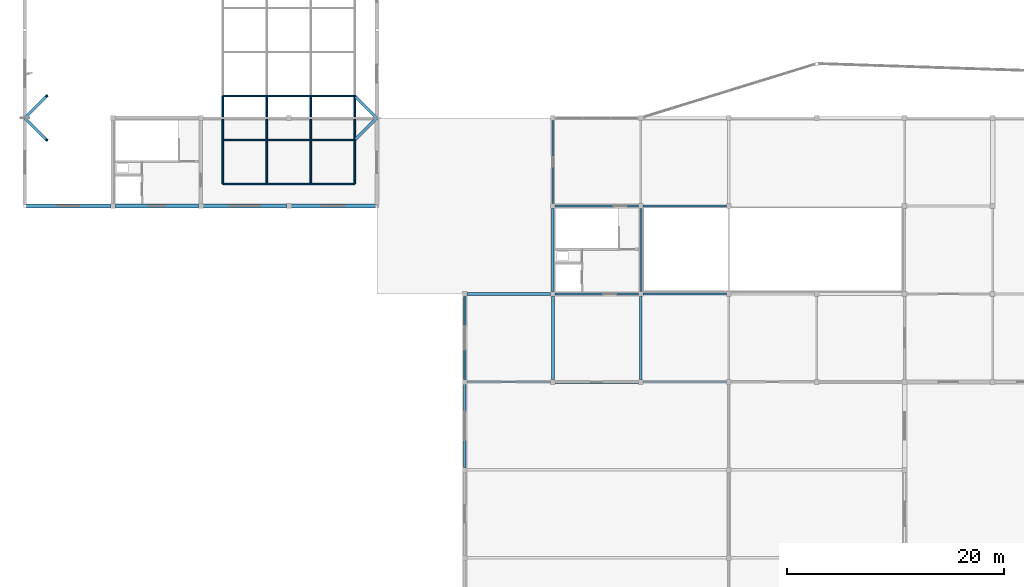
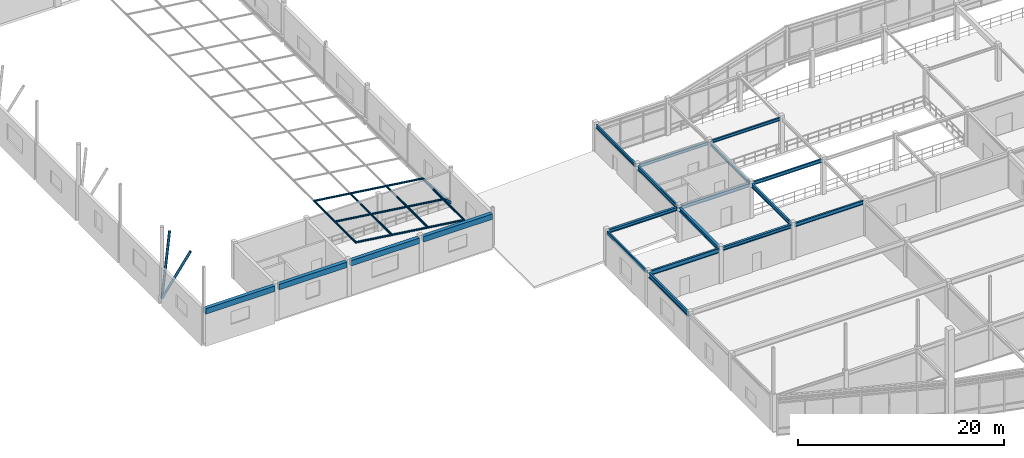
# One storey, part 22 of 89: 21 members, 19 beams.
"""IFC4 building model written with IfcOpenShell, lengths in metres."""

from ifc_helpers import new_model, si_unit, direction, frame, origin, origin_2d, place, context, subcontext, project, spatial, rectangle, hollow_rectangle, hollow_circle, i_section, extrude, material, material_profile, profile_set, type_object, element, save


model = new_model("IFC4")

# Units and contexts
model_context = context("Model", 3, precision=1e-05, world=origin(), true_north=direction((0.0, 1.0)))
body_context = subcontext(model_context, "Body", "Model", "MODEL_VIEW")
ifc_project = project(units=[si_unit("LENGTHUNIT", "METRE"), si_unit("AREAUNIT", "SQUARE_METRE"), si_unit("VOLUMEUNIT", "CUBIC_METRE"), si_unit("PLANEANGLEUNIT", "RADIAN"), si_unit("MASSUNIT", "GRAM", prefix="KILO")], contexts=[model_context])

# Site, building, storey
site_placement = place(None, origin())
site = spatial("IfcSite", under=ifc_project, at=site_placement, CompositionType="ELEMENT")
building_placement = place(site_placement, origin())
building = spatial("IfcBuilding", under=site, at=building_placement, Name="Vaudrelin Polytechnic", CompositionType="ELEMENT")
storey_placement = place(building_placement, frame((0.0, 0.0, 9.68994140625)))
storey = spatial("IfcBuildingStorey", under=building, at=storey_placement, Name="L02", CompositionType="ELEMENT", Elevation=9.68994140625)

# Beams
ifc_material_1 = material(Name="Steel CSA G40.21 350W", Category="steel")
ifc_material_profile_1 = material_profile(ifc_material_1, i_section(OverallWidth=0.178955078125, OverallDepth=0.409912109375, WebThickness=0.0087890625, FlangeThickness=0.014404296875, FilletRadius=0.01611328125, at=origin_2d()), Name="W410x67")
ifc_profile_set_1 = profile_set([ifc_material_profile_1], Name="Steel CSA G40.21 350W")
beam_type_1 = type_object("IfcBeamType", Name="BM-BM-W410", PredefinedType="BEAM", material=ifc_profile_set_1)
for number, where, z_axis, x_axis, name in (
    (1, (48.60009765625, 40.7099609375, 3.93505859375), (0.0, 1.0, 0.0), (-1.0, 0.0, 0.0), "L02 Y-beam 7-6"),
    (2, (56.699951171875, 32.610107421875, 3.93505859375), (0.0, 1.0, 0.0), (-1.0, 0.0, 0.0), "L02 Y-beam 8-5"),
):
    element("IfcBeam", number, at=place(storey_placement, frame(where, z_axis=z_axis, x_axis=x_axis)), inside=storey, type_object=beam_type_1, Name=name, PredefinedType="BEAM", context=body_context, shape_type="SweptSolid", body=[
        extrude(i_section(OverallWidth=0.178955078125, OverallDepth=0.409912109375, WebThickness=0.0087890625, FlangeThickness=0.014404296875, FilletRadius=0.01611328125, at=origin_2d()), origin(), (0.0, 0.0, 1.0), 7.679931640625),
    ])
beam_1_placement = place(storey_placement, frame((48.821044921875, 40.5, 3.93505859375), z_axis=(1.0, 0.0, 0.0), x_axis=(0.0, 1.0, 0.0)))
element("IfcBeam", 3, at=beam_1_placement, inside=storey, type_object=beam_type_1, Name="L02 X-beam 7-6", PredefinedType="BEAM", context=body_context, shape_type="SweptSolid", body=[
    extrude(i_section(OverallWidth=0.178955078125, OverallDepth=0.409912109375, WebThickness=0.0087890625, FlangeThickness=0.014404296875, FilletRadius=0.01611328125, at=origin_2d()), origin(), (0.0, 0.0, 1.0), 7.657958984375),
])
beam_2_placement = place(storey_placement, frame((56.9208984375, 32.39990234375, 3.93505859375), z_axis=(1.0, 0.0, 0.0), x_axis=(0.0, 1.0, 0.0)))
element("IfcBeam", 4, at=beam_2_placement, inside=storey, type_object=beam_type_1, Name="L02 X-beam 8-5", PredefinedType="BEAM", context=body_context, shape_type="SweptSolid", body=[
    extrude(i_section(OverallWidth=0.178955078125, OverallDepth=0.409912109375, WebThickness=0.0087890625, FlangeThickness=0.014404296875, FilletRadius=0.01611328125, at=origin_2d()), origin(), (0.0, 0.0, 1.0), 7.658203125),
])
ifc_material_2 = material(Name="Steel CSA G40.21 350WT", Category="steel")
ifc_material_profile_2 = material_profile(ifc_material_2, i_section(OverallWidth=0.260009765625, OverallDepth=0.4150390625, WebThickness=0.010009765625, FlangeThickness=0.016845703125, FilletRadius=0.01611328125, at=origin_2d()), Name="W410x100")
ifc_profile_set_2 = profile_set([ifc_material_profile_2], Name="Steel CSA G40.21 350WT")
beam_type_2 = type_object("IfcBeamType", Name="BM-BM-W410H", PredefinedType="SPANDREL", material=ifc_profile_set_2)
for number, where, z_axis, x_axis, name in (
    (5, (40.720947265625, 32.39990234375, 3.9326171875), (1.0, 0.0, 0.0), (0.0, 1.0, 0.0), "L02 X-beam 6-5"),
    (6, (48.821044921875, 24.300048828125, 3.9326171875), (1.0, 0.0, 0.0), (0.0, 1.0, 0.0), "L02 X-beam 7-4"),
):
    element("IfcBeam", number, at=place(storey_placement, frame(where, z_axis=z_axis, x_axis=x_axis)), inside=storey, type_object=beam_type_2, Name=name, PredefinedType="SPANDREL", context=body_context, shape_type="SweptSolid", body=[
        extrude(i_section(OverallWidth=0.260009765625, OverallDepth=0.4150390625, WebThickness=0.010009765625, FlangeThickness=0.016845703125, FilletRadius=0.01611328125, at=origin_2d()), origin(), (0.0, 0.0, 1.0), 7.657958984375),
    ])
ifc_material_profile_3 = material_profile(ifc_material_2, i_section(OverallWidth=0.19091796875, OverallDepth=0.4599609375, WebThickness=0.010009765625, FlangeThickness=0.01611328125, FilletRadius=0.01806640625, at=origin_2d()), Name="W460x82")
ifc_profile_set_3 = profile_set([ifc_material_profile_3], Name="Steel CSA G40.21 350WT")
beam_type_3 = type_object("IfcBeamType", Name="BM-BM-W460", PredefinedType="BEAM", material=ifc_profile_set_3)
for number, where, z_axis, x_axis, name in (
    (7, (48.60009765625, 32.610107421875, 3.91015625), (0.0, 1.0, 0.0), (-1.0, 0.0, 0.0), "L02 Y-beam 7-5"),
    (8, (56.699951171875, 24.510009765625, 3.91015625), (0.0, 1.0, 0.0), (-1.0, 0.0, 0.0), "L02 Y-beam 8-4"),
):
    element("IfcBeam", number, at=place(storey_placement, frame(where, z_axis=z_axis, x_axis=x_axis)), inside=storey, type_object=beam_type_3, Name=name, PredefinedType="BEAM", context=body_context, shape_type="SweptSolid", body=[
        extrude(i_section(OverallWidth=0.19091796875, OverallDepth=0.4599609375, WebThickness=0.010009765625, FlangeThickness=0.01611328125, FilletRadius=0.01806640625, at=origin_2d()), origin(), (0.0, 0.0, 1.0), 7.679931640625),
    ])
beam_3_placement = place(storey_placement, frame((48.821044921875, 32.39990234375, 3.91015625), z_axis=(1.0, 0.0, 0.0), x_axis=(0.0, 1.0, 0.0)))
element("IfcBeam", 9, at=beam_3_placement, inside=storey, type_object=beam_type_3, Name="L02 X-beam 7-5", PredefinedType="BEAM", context=body_context, shape_type="SweptSolid", body=[
    extrude(i_section(OverallWidth=0.19091796875, OverallDepth=0.4599609375, WebThickness=0.010009765625, FlangeThickness=0.01611328125, FilletRadius=0.01806640625, at=origin_2d()), origin(), (0.0, 0.0, 1.0), 7.657958984375),
])
beam_4_placement = place(storey_placement, frame((56.9208984375, 24.300048828125, 3.91015625), z_axis=(1.0, 0.0, 0.0), x_axis=(0.0, 1.0, 0.0)))
element("IfcBeam", 10, at=beam_4_placement, inside=storey, type_object=beam_type_3, Name="L02 X-beam 8-4", PredefinedType="BEAM", context=body_context, shape_type="SweptSolid", body=[
    extrude(i_section(OverallWidth=0.19091796875, OverallDepth=0.4599609375, WebThickness=0.010009765625, FlangeThickness=0.01611328125, FilletRadius=0.01806640625, at=origin_2d()), origin(), (0.0, 0.0, 1.0), 7.658203125),
])
ifc_material_profile_4 = material_profile(ifc_material_1, i_section(OverallWidth=0.280029296875, OverallDepth=0.462890625, WebThickness=0.0107421875, FlangeThickness=0.017333984375, FilletRadius=0.01806640625, at=origin_2d()), Name="W460x113")
ifc_profile_set_4 = profile_set([ifc_material_profile_4], Name="Steel CSA G40.21 350W")
beam_type_4 = type_object("IfcBeamType", Name="BM-BM-W460H", PredefinedType="BEAM", material=ifc_profile_set_4)
beam_5_placement = place(storey_placement, frame((48.60009765625, 24.510009765625, 3.908447265625), z_axis=(0.0, 1.0, 0.0), x_axis=(-1.0, 0.0, 0.0)))
element("IfcBeam", 11, at=beam_5_placement, inside=storey, type_object=beam_type_4, Name="L02 Y-beam 7-4", PredefinedType="BEAM", context=body_context, shape_type="SweptSolid", body=[
    extrude(i_section(OverallWidth=0.280029296875, OverallDepth=0.462890625, WebThickness=0.0107421875, FlangeThickness=0.017333984375, FilletRadius=0.01806640625, at=origin_2d()), origin(), (0.0, 0.0, 1.0), 7.679931640625),
])
ifc_material_profile_5 = material_profile(ifc_material_1, i_section(OverallWidth=0.208984375, OverallDepth=0.532958984375, WebThickness=0.01025390625, FlangeThickness=0.015625, FilletRadius=0.01904296875, at=origin_2d()), Name="W530x92")
ifc_profile_set_5 = profile_set([ifc_material_profile_5], Name="Steel CSA G40.21 350W")
beam_type_5 = type_object("IfcBeamType", Name="BM-BM-W530", PredefinedType="BEAM", material=ifc_profile_set_5)
beam_6_placement = place(storey_placement, frame((40.720947265625, 24.300048828125, 3.87353515625), z_axis=(1.0, 0.0, 0.0), x_axis=(0.0, 1.0, 0.0)))
element("IfcBeam", 12, at=beam_6_placement, inside=storey, type_object=beam_type_5, Name="L02 X-beam 6-4", PredefinedType="BEAM", context=body_context, shape_type="SweptSolid", body=[
    extrude(i_section(OverallWidth=0.208984375, OverallDepth=0.532958984375, WebThickness=0.01025390625, FlangeThickness=0.015625, FilletRadius=0.01904296875, at=origin_2d()), origin(), (0.0, 0.0, 1.0), 7.657958984375),
])
ifc_material_profile_6 = material_profile(ifc_material_1, i_section(OverallWidth=0.214111328125, OverallDepth=0.549072265625, WebThickness=0.0146484375, FlangeThickness=0.023681640625, FilletRadius=0.01904296875, at=origin_2d()), Name="W530x138")
ifc_profile_set_6 = profile_set([ifc_material_profile_6], Name="Steel CSA G40.21 350W")
beam_type_6 = type_object("IfcBeamType", Name="BM-BM-W530H", PredefinedType="BEAM", material=ifc_profile_set_6)
beam_7_placement = place(storey_placement, frame((40.5, 16.409912109375, 3.865478515625), z_axis=(0.0, 1.0, 0.0), x_axis=(-1.0, 0.0, 0.0)))
element("IfcBeam", 13, at=beam_7_placement, inside=storey, type_object=beam_type_6, Name="L02 Y-beam 6-3", PredefinedType="BEAM", context=body_context, shape_type="SweptSolid", body=[
    extrude(i_section(OverallWidth=0.214111328125, OverallDepth=0.549072265625, WebThickness=0.0146484375, FlangeThickness=0.023681640625, FilletRadius=0.01904296875, at=origin_2d()), origin(), (0.0, 0.0, 1.0), 7.68017578125),
])
ifc_material_profile_7 = material_profile(ifc_material_1, i_section(OverallWidth=0.172119140625, OverallDepth=0.35791015625, WebThickness=0.0078125, FlangeThickness=0.01318359375, FilletRadius=0.014892578125, at=origin_2d()), Name="W360x57")
ifc_profile_set_7 = profile_set([ifc_material_profile_7], Name="Steel CSA G40.21 350W")
beam_type_7 = type_object("IfcBeamType", Name="BM-JS-W360", PredefinedType="JOIST", material=ifc_profile_set_7)
beam_8_placement = place(storey_placement, frame((56.9208984375, 40.5, 3.9609375), z_axis=(1.0, 0.0, 0.0), x_axis=(0.0, 1.0, 0.0)))
element("IfcBeam", 14, at=beam_8_placement, inside=storey, type_object=beam_type_7, Name="L02 X-beam 8-6", PredefinedType="JOIST", context=body_context, shape_type="SweptSolid", body=[
    extrude(i_section(OverallWidth=0.172119140625, OverallDepth=0.35791015625, WebThickness=0.0078125, FlangeThickness=0.01318359375, FilletRadius=0.014892578125, at=origin_2d()), origin(), (0.0, 0.0, 1.0), 7.658203125),
])
ifc_material_profile_8 = material_profile(ifc_material_2, hollow_rectangle(XDim=0.202880859375, YDim=0.304931640625, WallThickness=0.010986328125, InnerFilletRadius=0.010986328125, OuterFilletRadius=0.022216796875, at=origin_2d()), Name="HSS305x203x11.1")
ifc_profile_set_8 = profile_set([ifc_material_profile_8], Name="Steel CSA G40.21 350WT")
beam_type_8 = type_object("IfcBeamType", Name="BM-SP-HSS30", PredefinedType="SPANDREL", material=ifc_profile_set_8)
beam_9_placement = place(storey_placement, frame((40.5, 24.510009765625, 3.987548828125), z_axis=(0.0, 1.0, 0.0), x_axis=(-1.0, 0.0, 0.0)))
element("IfcBeam", 15, at=beam_9_placement, inside=storey, type_object=beam_type_8, Name="L02 Y-beam 6-4", PredefinedType="SPANDREL", context=body_context, shape_type="SweptSolid", body=[
    extrude(hollow_rectangle(XDim=0.202880859375, YDim=0.304931640625, WallThickness=0.010986328125, InnerFilletRadius=0.010986328125, OuterFilletRadius=0.022216796875, at=origin_2d()), origin(), (0.0, 0.0, 1.0), 7.679931640625),
])
ifc_material_3 = material(Name="Concrete 40 MPa", Category="concrete")
ifc_material_profile_9 = material_profile(ifc_material_3, rectangle(XDim=0.39990234375, YDim=0.64990234375, at=origin_2d()), Name="RC400x650")
ifc_profile_set_9 = profile_set([ifc_material_profile_9], Name="Concrete 40 MPa")
beam_type_9 = type_object("IfcBeamType", Name="BM-SP-RC4065", PredefinedType="SPANDREL", material=ifc_profile_set_9)
beam_10_placement = place(storey_placement, frame((0.1201171875, 40.5, 3.80517578125), z_axis=(1.0, 0.0, 0.0), x_axis=(0.0, 1.0, 0.0)))
element("IfcBeam", 16, at=beam_10_placement, inside=storey, type_object=beam_type_9, Name="Workshop south eave spandrel beam L02-1", PredefinedType="SPANDREL", context=body_context, shape_type="SweptSolid", body=[
    extrude(rectangle(XDim=0.39990234375, YDim=0.64990234375, at=origin_2d()), origin(), (0.0, 0.0, 1.0), 7.759765625),
])
beam_11_placement = place(storey_placement, frame((8.320068359375, 40.5, 3.80517578125), z_axis=(1.0, 0.0, 0.0), x_axis=(0.0, 1.0, 0.0)))
element("IfcBeam", 17, at=beam_11_placement, inside=storey, type_object=beam_type_9, Name="Workshop south eave spandrel beam L02-2", PredefinedType="SPANDREL", context=body_context, shape_type="SweptSolid", body=[
    extrude(rectangle(XDim=0.39990234375, YDim=0.64990234375, at=origin_2d()), origin(), (0.0, 0.0, 1.0), 7.659912109375),
])
beam_12_placement = place(storey_placement, frame((16.419921875, 40.5, 3.80517578125), z_axis=(1.0, 0.0, 0.0), x_axis=(0.0, 1.0, 0.0)))
element("IfcBeam", 18, at=beam_12_placement, inside=storey, type_object=beam_type_9, Name="Workshop south eave spandrel beam L02-3", PredefinedType="SPANDREL", context=body_context, shape_type="SweptSolid", body=[
    extrude(rectangle(XDim=0.39990234375, YDim=0.64990234375, at=origin_2d()), origin(), (0.0, 0.0, 1.0), 7.66015625),
])
beam_13_placement = place(storey_placement, frame((24.52001953125, 40.5, 3.80517578125), z_axis=(1.0, 0.0, 0.0), x_axis=(0.0, 1.0, 0.0)))
element("IfcBeam", 19, at=beam_13_placement, inside=storey, type_object=beam_type_9, Name="Workshop south eave spandrel beam L02-4", PredefinedType="SPANDREL", context=body_context, shape_type="SweptSolid", body=[
    extrude(rectangle(XDim=0.39990234375, YDim=0.64990234375, at=origin_2d()), origin(), (0.0, 0.0, 1.0), 7.760009765625),
])

# Members
ifc_material_profile_10 = material_profile(ifc_material_2, hollow_circle(Radius=0.109619140625, WallThickness=0.010986328125, at=origin_2d()), Name="CHS219.1x11.1")
ifc_profile_set_10 = profile_set([ifc_material_profile_10], Name="Steel CSA G40.21 350WT")
member_type_1 = type_object("IfcMemberType", Name="MEM-SF-BC1", PredefinedType="CHORD", material=ifc_profile_set_10)
member_1_placement = place(storey_placement, frame((18.22509765625, 42.52490234375, 4.326171875), z_axis=(0.991443713746, 0.0, -0.13053490902), x_axis=(0.0, 1.0, 0.0)))
element("IfcMember", 20, at=member_1_placement, inside=storey, type_object=member_type_1, Name="Space frame bottom chord X 5-1", PredefinedType="CHORD", context=body_context, shape_type="SweptSolid", body=[
    extrude(hollow_circle(Radius=0.109619140625, WallThickness=0.010986328125, at=origin_2d()), origin(), (0.0, 0.0, 1.0), 4.084716796875),
])
for number, where, z_axis, x_axis, name in (
    (21, (22.27490234375, 42.52490234375, 3.79296875), (0.991444732077, 0.0, -0.130527174324), (0.0, 1.0, 0.0), "Space frame bottom chord X 6-1"),
    (22, (26.324951171875, 42.52490234375, 3.259765625), (0.991444732077, 0.0, -0.130527174324), (0.0, 1.0, 0.0), "Space frame bottom chord X 7-1"),
):
    element("IfcMember", number, at=place(storey_placement, frame(where, z_axis=z_axis, x_axis=x_axis)), inside=storey, type_object=member_type_1, Name=name, PredefinedType="CHORD", context=body_context, shape_type="SweptSolid", body=[
        extrude(hollow_circle(Radius=0.109619140625, WallThickness=0.010986328125, at=origin_2d()), origin(), (0.0, 0.0, 1.0), 4.0849609375),
    ])
member_2_placement = place(storey_placement, frame((18.22509765625, 46.574951171875, 4.326171875), z_axis=(0.991443713746, 0.0, -0.13053490902), x_axis=(0.0, 1.0, 0.0)))
element("IfcMember", 23, at=member_2_placement, inside=storey, type_object=member_type_1, Name="Space frame bottom chord X 5-2", PredefinedType="CHORD", context=body_context, shape_type="SweptSolid", body=[
    extrude(hollow_circle(Radius=0.109619140625, WallThickness=0.010986328125, at=origin_2d()), origin(), (0.0, 0.0, 1.0), 4.084716796875),
])
for number, where, z_axis, x_axis, name in (
    (24, (22.27490234375, 46.574951171875, 3.79296875), (0.991444732077, 0.0, -0.130527174324), (0.0, 1.0, 0.0), "Space frame bottom chord X 6-2"),
    (25, (26.324951171875, 46.574951171875, 3.259765625), (0.991444732077, 0.0, -0.130527174324), (0.0, 1.0, 0.0), "Space frame bottom chord X 7-2"),
):
    element("IfcMember", number, at=place(storey_placement, frame(where, z_axis=z_axis, x_axis=x_axis)), inside=storey, type_object=member_type_1, Name=name, PredefinedType="CHORD", context=body_context, shape_type="SweptSolid", body=[
        extrude(hollow_circle(Radius=0.109619140625, WallThickness=0.010986328125, at=origin_2d()), origin(), (0.0, 0.0, 1.0), 4.0849609375),
    ])
member_3_placement = place(storey_placement, frame((18.22509765625, 50.625, 4.326171875), z_axis=(0.991443713746, 0.0, -0.13053490902), x_axis=(0.0, 1.0, 0.0)))
element("IfcMember", 26, at=member_3_placement, inside=storey, type_object=member_type_1, Name="Space frame bottom chord X 5-3", PredefinedType="CHORD", context=body_context, shape_type="SweptSolid", body=[
    extrude(hollow_circle(Radius=0.109619140625, WallThickness=0.010986328125, at=origin_2d()), origin(), (0.0, 0.0, 1.0), 4.084716796875),
])
for number, where, z_axis, x_axis, name in (
    (27, (22.27490234375, 50.625, 3.79296875), (0.991444732077, 0.0, -0.130527174324), (0.0, 1.0, 0.0), "Space frame bottom chord X 6-3"),
    (28, (26.324951171875, 50.625, 3.259765625), (0.991444732077, 0.0, -0.130527174324), (0.0, 1.0, 0.0), "Space frame bottom chord X 7-3"),
):
    element("IfcMember", number, at=place(storey_placement, frame(where, z_axis=z_axis, x_axis=x_axis)), inside=storey, type_object=member_type_1, Name=name, PredefinedType="CHORD", context=body_context, shape_type="SweptSolid", body=[
        extrude(hollow_circle(Radius=0.109619140625, WallThickness=0.010986328125, at=origin_2d()), origin(), (0.0, 0.0, 1.0), 4.0849609375),
    ])
for number, where, z_axis, x_axis, name in (
    (29, (18.22509765625, 42.52490234375, 4.326171875), (0.0, 1.0, 0.0), (-1.0, 0.0, 0.0), "Space frame bottom chord Y 5-1"),
    (30, (18.22509765625, 46.574951171875, 4.326171875), (0.0, 1.0, 0.0), (-1.0, 0.0, 0.0), "Space frame bottom chord Y 5-2"),
    (31, (22.27490234375, 42.52490234375, 3.79296875), (0.0, 1.0, 0.0), (-1.0, 0.0, 0.0), "Space frame bottom chord Y 6-1"),
    (32, (22.27490234375, 46.574951171875, 3.79296875), (0.0, 1.0, 0.0), (-1.0, 0.0, 0.0), "Space frame bottom chord Y 6-2"),
    (33, (26.324951171875, 42.52490234375, 3.259765625), (0.0, 1.0, 0.0), (-1.0, 0.0, 0.0), "Space frame bottom chord Y 7-1"),
    (34, (26.324951171875, 46.574951171875, 3.259765625), (0.0, 1.0, 0.0), (-1.0, 0.0, 0.0), "Space frame bottom chord Y 7-2"),
    (35, (30.375, 42.52490234375, 2.7265625), (0.0, 1.0, 0.0), (-1.0, 0.0, 0.0), "Space frame bottom chord Y 8-1"),
    (36, (30.375, 46.574951171875, 2.7265625), (0.0, 1.0, 0.0), (-1.0, 0.0, 0.0), "Space frame bottom chord Y 8-2"),
):
    element("IfcMember", number, at=place(storey_placement, frame(where, z_axis=z_axis, x_axis=x_axis)), inside=storey, type_object=member_type_1, Name=name, PredefinedType="CHORD", context=body_context, shape_type="SweptSolid", body=[
        extrude(hollow_circle(Radius=0.109619140625, WallThickness=0.010986328125, at=origin_2d()), origin(), (0.0, 0.0, 1.0), 4.050048828125),
    ])
ifc_material_profile_11 = material_profile(ifc_material_2, hollow_circle(Radius=0.136474609375, WallThickness=0.0126953125, at=origin_2d()), Name="CHS273.1x12.7")
ifc_profile_set_11 = profile_set([ifc_material_profile_11], Name="Steel CSA G40.21 350WT")
member_type_2 = type_object("IfcMemberType", Name="MEM-TR-BR1", PredefinedType="BRACE", material=ifc_profile_set_11)
member_4_placement = place(storey_placement, frame((0.0, 48.60009765625, 0.400146484375), z_axis=(0.302153683271, -0.302190113665, 0.90409307424), x_axis=(0.707149404941, 0.707064154862, 0.0)))
element("IfcMember", 37, at=member_4_placement, inside=storey, type_object=member_type_2, Name="Space frame tree branch strut 1.1", PredefinedType="BRACE", context=body_context, shape_type="SweptSolid", body=[
    extrude(hollow_circle(Radius=0.136474609375, WallThickness=0.0126953125, at=origin_2d()), origin(), (0.0, 0.0, 1.0), 6.70166015625),
])
member_5_placement = place(storey_placement, frame((0.0, 48.60009765625, 0.400146484375), z_axis=(0.302157009507, 0.302157009507, 0.904103026879), x_axis=(-0.707106781187, 0.707106781187, 0.0)))
element("IfcMember", 38, at=member_5_placement, inside=storey, type_object=member_type_2, Name="Space frame tree branch strut 1.2", PredefinedType="BRACE", context=body_context, shape_type="SweptSolid", body=[
    extrude(hollow_circle(Radius=0.136474609375, WallThickness=0.0126953125, at=origin_2d()), origin(), (0.0, 0.0, 1.0), 6.701416015625),
])
member_6_placement = place(storey_placement, frame((32.39990234375, 48.60009765625, 0.400146484375), z_axis=(-0.548803212425, -0.548869381127, 0.630521559103), x_axis=(0.707149404941, -0.707064154862, 0.0)))
element("IfcMember", 39, at=member_6_placement, inside=storey, type_object=member_type_2, Name="Space frame tree branch strut 4.1", PredefinedType="BRACE", context=body_context, shape_type="SweptSolid", body=[
    extrude(hollow_circle(Radius=0.136474609375, WallThickness=0.0126953125, at=origin_2d()), origin(), (0.0, 0.0, 1.0), 3.689697265625),
])
member_7_placement = place(storey_placement, frame((32.39990234375, 48.60009765625, 0.400146484375), z_axis=(-0.54882314373, 0.54882314373, 0.630544458236), x_axis=(-0.707106781187, -0.707106781187, 0.0)))
element("IfcMember", 40, at=member_7_placement, inside=storey, type_object=member_type_2, Name="Space frame tree branch strut 4.2", PredefinedType="BRACE", context=body_context, shape_type="SweptSolid", body=[
    extrude(hollow_circle(Radius=0.136474609375, WallThickness=0.0126953125, at=origin_2d()), origin(), (0.0, 0.0, 1.0), 3.689453125),
])

save(model, "model.ifc")
